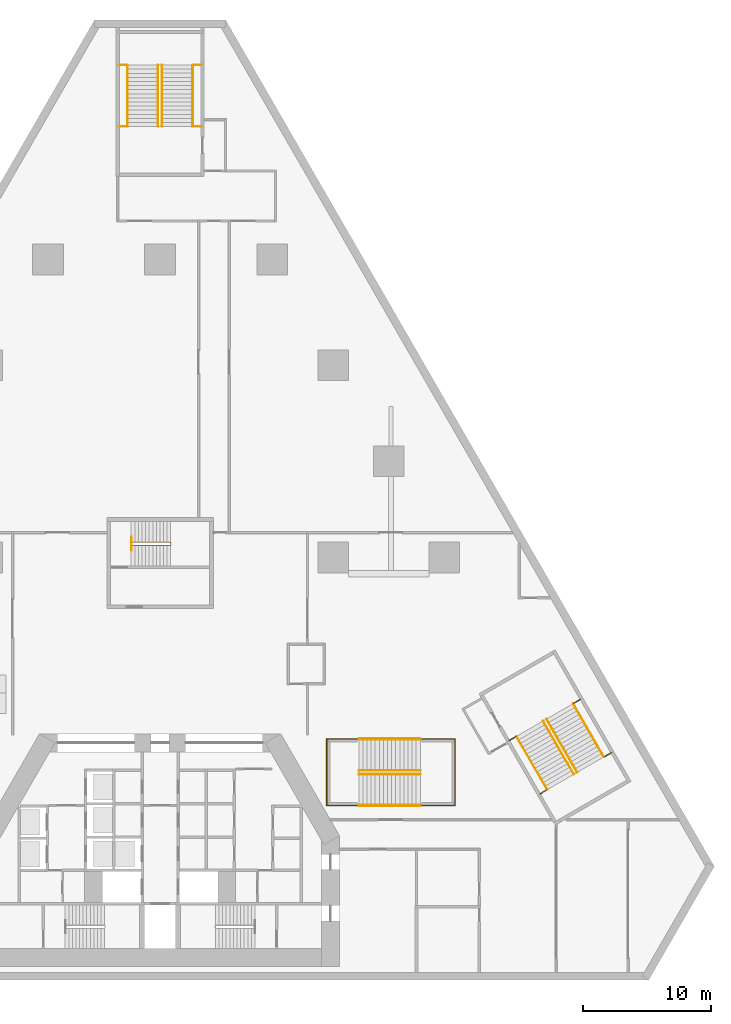
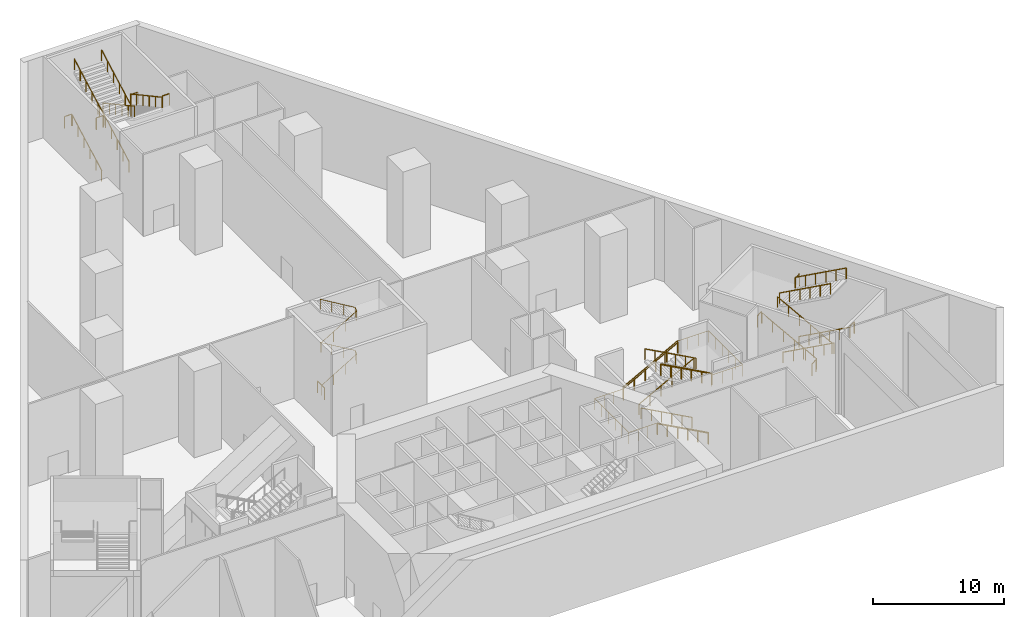
# One storey, part 10 of 11: 33 railings.
"""IFC4 building model written with IfcOpenShell, lengths in metres."""

from ifc_helpers import new_model, si_unit, direction, frame, origin, origin_2d, place, context, subcontext, project, spatial, circle, extrude, material, type_object, element, save


model = new_model("IFC4")

# Units and contexts
model_context = context("Model", 3, precision=1e-05, world=origin(), true_north=direction((0.0, 1.0)))
body_context = subcontext(model_context, "Body", "Model", "MODEL_VIEW")
ifc_project = project(units=[si_unit("LENGTHUNIT", "METRE"), si_unit("AREAUNIT", "SQUARE_METRE"), si_unit("VOLUMEUNIT", "CUBIC_METRE"), si_unit("PLANEANGLEUNIT", "RADIAN"), si_unit("MASSUNIT", "GRAM", prefix="KILO")], contexts=[model_context])

# Site, building, storey
site_placement = place(None, origin())
site = spatial("IfcSite", under=ifc_project, at=site_placement, CompositionType="ELEMENT")
building_placement = place(site_placement, origin())
building = spatial("IfcBuilding", under=site, at=building_placement, Name="Fogline Exchange Tower", CompositionType="ELEMENT")
storey_placement = place(building_placement, frame((0.0, 0.0, -8.0)))
storey = spatial("IfcBuildingStorey", under=building, at=storey_placement, Name="B1", CompositionType="ELEMENT", Elevation=-8.0)

# Railings
ifc_material = material(Name="Steel Q235B", Category="steel")
railing_type_1 = type_object("IfcRailingType", Name="PG1", PredefinedType="GUARDRAIL", material=ifc_material)
railing_1_placement = place(storey_placement, frame((35.194091796875, 17.53076171875, 2.608642578125)))
element("IfcRailing", 1, at=railing_1_placement, inside=storey, type_object=railing_type_1, Name="Landing guard ST5", PredefinedType="GUARDRAIL", context=body_context, shape_type="SweptSolid", body=[
    extrude(circle(Radius=0.02392578125, at=origin_2d()), frame((0.0, 0.0, 1.076171875), z_axis=(-0.866059952115, -0.49994015576, 0.0), x_axis=(0.49994015576, -0.866059952115, 0.0)), (0.0, 0.0, 1.0), 0.61474609375),
    extrude(circle(Radius=0.02099609375, at=origin_2d()), origin(), (0.0, 0.0, 1.0), 1.052001953125),
    extrude(circle(Radius=0.02099609375, at=origin_2d()), frame((-0.532470703125, -0.307373046875, 0.0)), (0.0, 0.0, 1.0), 1.052001953125),
])
railing_2_placement = place(storey_placement, frame((30.158203125, 14.62353515625, 2.608642578125)))
element("IfcRailing", 2, at=railing_2_placement, inside=storey, type_object=railing_type_1, Name="Landing guard ST5", PredefinedType="GUARDRAIL", context=body_context, shape_type="SweptSolid", body=[
    extrude(circle(Radius=0.02392578125, at=origin_2d()), frame((0.0, 0.0, 1.076171875), z_axis=(-0.865987299264, -0.500065993159, 0.0), x_axis=(0.500065993159, -0.865987299264, 0.0)), (0.0, 0.0, 1.0), 0.615234375),
    extrude(circle(Radius=0.02099609375, at=origin_2d()), origin(), (0.0, 0.0, 1.0), 1.052001953125),
    extrude(circle(Radius=0.02099609375, at=origin_2d()), frame((-0.53271484375, -0.3076171875, 0.0)), (0.0, 0.0, 1.0), 1.052001953125),
])
railing_3_placement = place(storey_placement, frame((32.794189453125, 21.687744140625, 5.391357421875)))
element("IfcRailing", 3, at=railing_3_placement, inside=storey, type_object=railing_type_1, Name="Landing guard ST5", PredefinedType="GUARDRAIL", context=body_context, shape_type="SweptSolid", body=[
    extrude(circle(Radius=0.02392578125, at=origin_2d()), frame((0.0, 0.0, 1.076171875), z_axis=(-0.866059952115, -0.49994015576, 0.0), x_axis=(0.49994015576, -0.866059952115, 0.0)), (0.0, 0.0, 1.0), 0.61474609375),
    extrude(circle(Radius=0.02099609375, at=origin_2d()), origin(), (0.0, 0.0, 1.0), 1.052001953125),
    extrude(circle(Radius=0.02099609375, at=origin_2d()), frame((-0.532470703125, -0.307373046875, 0.0)), (0.0, 0.0, 1.0), 1.052001953125),
])
railing_4_placement = place(storey_placement, frame((27.75830078125, 18.780517578125, 5.391357421875)))
element("IfcRailing", 4, at=railing_4_placement, inside=storey, type_object=railing_type_1, Name="Landing guard ST5", PredefinedType="GUARDRAIL", context=body_context, shape_type="SweptSolid", body=[
    extrude(circle(Radius=0.02392578125, at=origin_2d()), frame((0.0, 0.0, 1.076171875), z_axis=(-0.865987299264, -0.500065993159, 0.0), x_axis=(0.500065993159, -0.865987299264, 0.0)), (0.0, 0.0, 1.0), 0.615234375),
    extrude(circle(Radius=0.02099609375, at=origin_2d()), origin(), (0.0, 0.0, 1.0), 1.052001953125),
    extrude(circle(Radius=0.02099609375, at=origin_2d()), frame((-0.53271484375, -0.3076171875, 0.0)), (0.0, 0.0, 1.0), 1.052001953125),
])
for number, where, name in (
    (5, (-3.215087890625, 71.1650390625, 2.608642578125), "Landing guard ST6"),
    (6, (2.60009765625, 71.1650390625, 2.608642578125), "Landing guard ST6"),
    (7, (-3.215087890625, 66.364990234375, 5.391357421875), "Landing guard ST6"),
    (8, (2.60009765625, 66.364990234375, 5.391357421875), "Landing guard ST6"),
):
    element("IfcRailing", number, at=place(storey_placement, frame(where)), inside=storey, type_object=railing_type_1, Name=name, PredefinedType="GUARDRAIL", context=body_context, shape_type="SweptSolid", body=[
        extrude(circle(Radius=0.02392578125, at=origin_2d()), frame((0.0, 0.0, 1.076171875), z_axis=(1.0, 0.0, 0.0), x_axis=(0.0, 1.0, 0.0)), (0.0, 0.0, 1.0), 0.614990234375),
        extrude(circle(Radius=0.02099609375, at=origin_2d()), origin(), (0.0, 0.0, 1.0), 1.052001953125),
        extrude(circle(Radius=0.02099609375, at=origin_2d()), frame((0.614990234375, 0.0, 0.0)), (0.0, 0.0, 1.0), 1.052001953125),
    ])
railing_5_placement = place(storey_placement, frame((19.97998046875, 13.3798828125, 0.173828125)))
element("IfcRailing", 9, at=railing_5_placement, inside=storey, type_object=railing_type_1, Name="Guard PS4", PredefinedType="GUARDRAIL", context=body_context, shape_type="SweptSolid", body=[
    extrude(circle(Radius=0.02392578125, at=origin_2d()), frame((0.0, 0.0, 1.076171875), z_axis=(-0.878621015842, 0.0, 0.477519748828), x_axis=(0.0, -1.0, 0.0)), (0.0, 0.0, 1.0), 5.098876953125),
    extrude(circle(Radius=0.02099609375, at=origin_2d()), origin(), (0.0, 0.0, 1.0), 1.052001953125),
    extrude(circle(Radius=0.02099609375, at=origin_2d()), frame((-0.89599609375, 0.0, 0.487060546875)), (0.0, 0.0, 1.0), 1.052001953125),
    extrude(circle(Radius=0.02099609375, at=origin_2d()), frame((-1.7919921875, 0.0, 0.973876953125)), (0.0, 0.0, 1.0), 1.052001953125),
    extrude(circle(Radius=0.02099609375, at=origin_2d()), frame((-2.68798828125, 0.0, 1.4609375)), (0.0, 0.0, 1.0), 1.052001953125),
    extrude(circle(Radius=0.02099609375, at=origin_2d()), frame((-3.583984375, 0.0, 1.94775390625)), (0.0, 0.0, 1.0), 1.052001953125),
    extrude(circle(Radius=0.02099609375, at=origin_2d()), frame((-4.47998046875, 0.0, 2.434814453125)), (0.0, 0.0, 1.0), 1.052001953125),
])
railing_6_placement = place(storey_placement, frame((15.5, 18.6201171875, 2.78271484375)))
element("IfcRailing", 10, at=railing_6_placement, inside=storey, type_object=railing_type_1, Name="Guard PS4", PredefinedType="GUARDRAIL", context=body_context, shape_type="SweptSolid", body=[
    extrude(circle(Radius=0.02392578125, at=origin_2d()), frame((0.0, 0.0, 1.076171875), z_axis=(0.878630623466, 0.0, 0.477502070685), x_axis=(0.0, 1.0, 0.0)), (0.0, 0.0, 1.0), 5.463134765625),
    extrude(circle(Radius=0.02099609375, at=origin_2d()), origin(), (0.0, 0.0, 1.0), 1.052001953125),
    extrude(circle(Radius=0.02099609375, at=origin_2d()), frame((0.9599609375, 0.0, 0.521728515625)), (0.0, 0.0, 1.0), 1.052001953125),
    extrude(circle(Radius=0.02099609375, at=origin_2d()), frame((1.919921875, 0.0, 1.04345703125)), (0.0, 0.0, 1.0), 1.052001953125),
    extrude(circle(Radius=0.02099609375, at=origin_2d()), frame((2.880126953125, 0.0, 1.565185546875)), (0.0, 0.0, 1.0), 1.052001953125),
    extrude(circle(Radius=0.02099609375, at=origin_2d()), frame((3.840087890625, 0.0, 2.0869140625)), (0.0, 0.0, 1.0), 1.052001953125),
    extrude(circle(Radius=0.02099609375, at=origin_2d()), frame((4.800048828125, 0.0, 2.608642578125)), (0.0, 0.0, 1.0), 1.052001953125),
])
railing_7_placement = place(storey_placement, frame((20.300048828125, 13.3798828125, 5.565185546875)))
element("IfcRailing", 11, at=railing_7_placement, inside=storey, type_object=railing_type_1, Name="Guard PS4", PredefinedType="GUARDRAIL", context=body_context, shape_type="SweptSolid", body=[
    extrude(circle(Radius=0.02392578125, at=origin_2d()), frame((0.0, 0.0, 1.076171875), z_axis=(-0.878621015842, 0.0, 0.477519748828), x_axis=(0.0, -1.0, 0.0)), (0.0, 0.0, 1.0), 5.098876953125),
    extrude(circle(Radius=0.02099609375, at=origin_2d()), origin(), (0.0, 0.0, 1.0), 1.052001953125),
    extrude(circle(Radius=0.02099609375, at=origin_2d()), frame((-0.89599609375, 0.0, 0.487060546875)), (0.0, 0.0, 1.0), 1.052001953125),
    extrude(circle(Radius=0.02099609375, at=origin_2d()), frame((-1.7919921875, 0.0, 0.973876953125)), (0.0, 0.0, 1.0), 1.052001953125),
    extrude(circle(Radius=0.02099609375, at=origin_2d()), frame((-2.68798828125, 0.0, 1.4609375)), (0.0, 0.0, 1.0), 1.052001953125),
    extrude(circle(Radius=0.02099609375, at=origin_2d()), frame((-3.583984375, 0.0, 1.94775390625)), (0.0, 0.0, 1.0), 1.052001953125),
    extrude(circle(Radius=0.02099609375, at=origin_2d()), frame((-4.47998046875, 0.0, 2.434814453125)), (0.0, 0.0, 1.0), 1.052001953125),
])
railing_8_placement = place(storey_placement, frame((15.5, 13.39990234375, 2.608642578125)))
element("IfcRailing", 12, at=railing_8_placement, inside=storey, type_object=railing_type_1, Name="Landing guard PS4", PredefinedType="GUARDRAIL", context=body_context, shape_type="SweptSolid", body=[
    extrude(circle(Radius=0.02392578125, at=origin_2d()), frame((0.0, 0.0, 1.076171875), z_axis=(-1.0, 0.0, 0.0), x_axis=(0.0, -1.0, 0.0)), (0.0, 0.0, 1.0), 2.5),
    extrude(circle(Radius=0.02392578125, at=origin_2d()), frame((-2.5, 0.0, 1.076171875), z_axis=(0.0, 1.0, 0.0), x_axis=(-1.0, 0.0, 0.0)), (0.0, 0.0, 1.0), 5.2001953125),
    extrude(circle(Radius=0.02392578125, at=origin_2d()), frame((-2.5, 5.2001953125, 1.076171875), z_axis=(1.0, 0.0, 0.0), x_axis=(0.0, 1.0, 0.0)), (0.0, 0.0, 1.0), 2.5),
    extrude(circle(Radius=0.02099609375, at=origin_2d()), origin(), (0.0, 0.0, 1.0), 1.052001953125),
    extrude(circle(Radius=0.02099609375, at=origin_2d()), frame((-0.833251953125, 0.0, 0.0)), (0.0, 0.0, 1.0), 1.052001953125),
    extrude(circle(Radius=0.02099609375, at=origin_2d()), frame((-1.666748046875, 0.0, 0.0)), (0.0, 0.0, 1.0), 1.052001953125),
    extrude(circle(Radius=0.02099609375, at=origin_2d()), frame((-2.5, 0.0, 0.0)), (0.0, 0.0, 1.0), 1.052001953125),
    extrude(circle(Radius=0.02099609375, at=origin_2d()), frame((-2.5, 1.0400390625, 0.0)), (0.0, 0.0, 1.0), 1.052001953125),
    extrude(circle(Radius=0.02099609375, at=origin_2d()), frame((-2.5, 2.080078125, 0.0)), (0.0, 0.0, 1.0), 1.052001953125),
    extrude(circle(Radius=0.02099609375, at=origin_2d()), frame((-2.5, 3.1201171875, 0.0)), (0.0, 0.0, 1.0), 1.052001953125),
    extrude(circle(Radius=0.02099609375, at=origin_2d()), frame((-2.5, 4.16015625, 0.0)), (0.0, 0.0, 1.0), 1.052001953125),
    extrude(circle(Radius=0.02099609375, at=origin_2d()), frame((-2.5, 5.2001953125, 0.0)), (0.0, 0.0, 1.0), 1.052001953125),
    extrude(circle(Radius=0.02099609375, at=origin_2d()), frame((-1.666748046875, 5.2001953125, 0.0)), (0.0, 0.0, 1.0), 1.052001953125),
    extrude(circle(Radius=0.02099609375, at=origin_2d()), frame((-0.833251953125, 5.2001953125, 0.0)), (0.0, 0.0, 1.0), 1.052001953125),
    extrude(circle(Radius=0.02099609375, at=origin_2d()), frame((0.0, 5.2001953125, 0.0)), (0.0, 0.0, 1.0), 1.052001953125),
])
railing_9_placement = place(storey_placement, frame((20.300048828125, 13.39990234375, 5.391357421875)))
element("IfcRailing", 13, at=railing_9_placement, inside=storey, type_object=railing_type_1, Name="Landing guard PS4", PredefinedType="GUARDRAIL", context=body_context, shape_type="SweptSolid", body=[
    extrude(circle(Radius=0.02392578125, at=origin_2d()), frame((0.0, 0.0, 1.076171875), z_axis=(1.0, 0.0, 0.0), x_axis=(0.0, 1.0, 0.0)), (0.0, 0.0, 1.0), 2.699951171875),
    extrude(circle(Radius=0.02392578125, at=origin_2d()), frame((2.699951171875, 0.0, 1.076171875), z_axis=(0.0, 1.0, 0.0), x_axis=(-1.0, 0.0, 0.0)), (0.0, 0.0, 1.0), 5.2001953125),
    extrude(circle(Radius=0.02392578125, at=origin_2d()), frame((2.699951171875, 5.2001953125, 1.076171875), z_axis=(-1.0, 0.0, 0.0), x_axis=(0.0, -1.0, 0.0)), (0.0, 0.0, 1.0), 2.699951171875),
    extrude(circle(Radius=0.02099609375, at=origin_2d()), origin(), (0.0, 0.0, 1.0), 1.052001953125),
    extrude(circle(Radius=0.02099609375, at=origin_2d()), frame((0.89990234375, 0.0, 0.0)), (0.0, 0.0, 1.0), 1.052001953125),
    extrude(circle(Radius=0.02099609375, at=origin_2d()), frame((1.800048828125, 0.0, 0.0)), (0.0, 0.0, 1.0), 1.052001953125),
    extrude(circle(Radius=0.02099609375, at=origin_2d()), frame((2.699951171875, 0.0, 0.0)), (0.0, 0.0, 1.0), 1.052001953125),
    extrude(circle(Radius=0.02099609375, at=origin_2d()), frame((2.699951171875, 1.0400390625, 0.0)), (0.0, 0.0, 1.0), 1.052001953125),
    extrude(circle(Radius=0.02099609375, at=origin_2d()), frame((2.699951171875, 2.080078125, 0.0)), (0.0, 0.0, 1.0), 1.052001953125),
    extrude(circle(Radius=0.02099609375, at=origin_2d()), frame((2.699951171875, 3.1201171875, 0.0)), (0.0, 0.0, 1.0), 1.052001953125),
    extrude(circle(Radius=0.02099609375, at=origin_2d()), frame((2.699951171875, 4.16015625, 0.0)), (0.0, 0.0, 1.0), 1.052001953125),
    extrude(circle(Radius=0.02099609375, at=origin_2d()), frame((2.699951171875, 5.2001953125, 0.0)), (0.0, 0.0, 1.0), 1.052001953125),
    extrude(circle(Radius=0.02099609375, at=origin_2d()), frame((1.800048828125, 5.2001953125, 0.0)), (0.0, 0.0, 1.0), 1.052001953125),
    extrude(circle(Radius=0.02099609375, at=origin_2d()), frame((0.89990234375, 5.2001953125, 0.0)), (0.0, 0.0, 1.0), 1.052001953125),
    extrude(circle(Radius=0.02099609375, at=origin_2d()), frame((0.0, 5.2001953125, 0.0)), (0.0, 0.0, 1.0), 1.052001953125),
])
railing_type_2 = type_object("IfcRailingType", Name="PH1", PredefinedType="HANDRAIL", material=ifc_material)
railing_10_placement = place(storey_placement, frame((30.2998046875, 19.87841796875, 0.173828125)))
element("IfcRailing", 14, at=railing_10_placement, inside=storey, type_object=railing_type_2, Name="Handrail ST5", PredefinedType="HANDRAIL", context=body_context, shape_type="SweptSolid", body=[
    extrude(circle(Radius=0.02392578125, at=origin_2d()), frame((0.0, 0.0, 0.97607421875), z_axis=(0.439287559345, -0.760937022416, 0.477494804288), x_axis=(0.866044936414, 0.499966166967, 0.0)), (0.0, 0.0, 1.0), 5.09912109375),
    extrude(circle(Radius=0.02099609375, at=origin_2d()), origin(), (0.0, 0.0, 1.0), 0.951904296875),
    extrude(circle(Radius=0.02099609375, at=origin_2d()), frame((0.447998046875, -0.776123046875, 0.487060546875)), (0.0, 0.0, 1.0), 0.951904296875),
    extrude(circle(Radius=0.02099609375, at=origin_2d()), frame((0.89599609375, -1.552001953125, 0.973876953125)), (0.0, 0.0, 1.0), 0.951904296875),
    extrude(circle(Radius=0.02099609375, at=origin_2d()), frame((1.343994140625, -2.328125, 1.4609375)), (0.0, 0.0, 1.0), 0.951904296875),
    extrude(circle(Radius=0.02099609375, at=origin_2d()), frame((1.7919921875, -3.10400390625, 1.94775390625)), (0.0, 0.0, 1.0), 0.951904296875),
    extrude(circle(Radius=0.02099609375, at=origin_2d()), frame((2.239990234375, -3.880126953125, 2.434814453125)), (0.0, 0.0, 1.0), 0.951904296875),
])
railing_11_placement = place(storey_placement, frame((32.37841796875, 21.078125, 0.173828125)))
element("IfcRailing", 15, at=railing_11_placement, inside=storey, type_object=railing_type_2, Name="Handrail ST5", PredefinedType="HANDRAIL", context=body_context, shape_type="SweptSolid", body=[
    extrude(circle(Radius=0.02392578125, at=origin_2d()), frame((0.0, 0.0, 0.97607421875), z_axis=(0.439319569707, -0.760896706508, 0.477529598767), x_axis=(0.866017690131, 0.500013360201, 0.0)), (0.0, 0.0, 1.0), 5.098876953125),
    extrude(circle(Radius=0.02099609375, at=origin_2d()), origin(), (0.0, 0.0, 1.0), 0.951904296875),
    extrude(circle(Radius=0.02099609375, at=origin_2d()), frame((0.447998046875, -0.77587890625, 0.487060546875)), (0.0, 0.0, 1.0), 0.951904296875),
    extrude(circle(Radius=0.02099609375, at=origin_2d()), frame((0.89599609375, -1.5517578125, 0.973876953125)), (0.0, 0.0, 1.0), 0.951904296875),
    extrude(circle(Radius=0.02099609375, at=origin_2d()), frame((1.343994140625, -2.327880859375, 1.4609375)), (0.0, 0.0, 1.0), 0.951904296875),
    extrude(circle(Radius=0.02099609375, at=origin_2d()), frame((1.7919921875, -3.103759765625, 1.94775390625)), (0.0, 0.0, 1.0), 0.951904296875),
    extrude(circle(Radius=0.02099609375, at=origin_2d()), frame((2.239990234375, -3.879638671875, 2.434814453125)), (0.0, 0.0, 1.0), 0.951904296875),
])
for number, where, name in (
    (16, (32.280029296875, 15.848388671875, 2.78271484375), "Handrail ST5"),
    (17, (30.201416015625, 14.6484375, 2.78271484375), "Handrail ST5"),
):
    element("IfcRailing", number, at=place(storey_placement, frame(where)), inside=storey, type_object=railing_type_2, Name=name, PredefinedType="HANDRAIL", context=body_context, shape_type="SweptSolid", body=[
        extrude(circle(Radius=0.02392578125, at=origin_2d()), frame((0.0, 0.0, 0.97607421875), z_axis=(-0.439296165955, 0.760925312076, 0.477505547632), x_axis=(-0.866037363387, -0.499979284789, 0.0)), (0.0, 0.0, 1.0), 5.463134765625),
        extrude(circle(Radius=0.02099609375, at=origin_2d()), origin(), (0.0, 0.0, 1.0), 0.951904296875),
        extrude(circle(Radius=0.02099609375, at=origin_2d()), frame((-0.47998046875, 0.831298828125, 0.521728515625)), (0.0, 0.0, 1.0), 0.951904296875),
        extrude(circle(Radius=0.02099609375, at=origin_2d()), frame((-0.9599609375, 1.662841796875, 1.04345703125)), (0.0, 0.0, 1.0), 0.951904296875),
        extrude(circle(Radius=0.02099609375, at=origin_2d()), frame((-1.43994140625, 2.494140625, 1.565185546875)), (0.0, 0.0, 1.0), 0.951904296875),
        extrude(circle(Radius=0.02099609375, at=origin_2d()), frame((-1.919921875, 3.32568359375, 2.0869140625)), (0.0, 0.0, 1.0), 0.951904296875),
        extrude(circle(Radius=0.02099609375, at=origin_2d()), frame((-2.39990234375, 4.156982421875, 2.608642578125)), (0.0, 0.0, 1.0), 0.951904296875),
    ])
railing_12_placement = place(storey_placement, frame((30.139892578125, 20.155517578125, 5.565185546875)))
element("IfcRailing", 18, at=railing_12_placement, inside=storey, type_object=railing_type_2, Name="Handrail ST5", PredefinedType="HANDRAIL", context=body_context, shape_type="SweptSolid", body=[
    extrude(circle(Radius=0.02392578125, at=origin_2d()), frame((0.0, 0.0, 0.97607421875), z_axis=(0.439287559345, -0.760937022416, 0.477494804288), x_axis=(0.866044936414, 0.499966166967, 0.0)), (0.0, 0.0, 1.0), 5.09912109375),
    extrude(circle(Radius=0.02099609375, at=origin_2d()), origin(), (0.0, 0.0, 1.0), 0.951904296875),
    extrude(circle(Radius=0.02099609375, at=origin_2d()), frame((0.447998046875, -0.776123046875, 0.487060546875)), (0.0, 0.0, 1.0), 0.951904296875),
    extrude(circle(Radius=0.02099609375, at=origin_2d()), frame((0.89599609375, -1.552001953125, 0.973876953125)), (0.0, 0.0, 1.0), 0.951904296875),
    extrude(circle(Radius=0.02099609375, at=origin_2d()), frame((1.343994140625, -2.328125, 1.4609375)), (0.0, 0.0, 1.0), 0.951904296875),
    extrude(circle(Radius=0.02099609375, at=origin_2d()), frame((1.7919921875, -3.10400390625, 1.94775390625)), (0.0, 0.0, 1.0), 0.951904296875),
    extrude(circle(Radius=0.02099609375, at=origin_2d()), frame((2.239990234375, -3.880126953125, 2.434814453125)), (0.0, 0.0, 1.0), 0.951904296875),
])
railing_13_placement = place(storey_placement, frame((32.218505859375, 21.355224609375, 5.565185546875)))
element("IfcRailing", 19, at=railing_13_placement, inside=storey, type_object=railing_type_2, Name="Handrail ST5", PredefinedType="HANDRAIL", context=body_context, shape_type="SweptSolid", body=[
    extrude(circle(Radius=0.02392578125, at=origin_2d()), frame((0.0, 0.0, 0.97607421875), z_axis=(0.439280927599, -0.760912712064, 0.477539643661), x_axis=(0.866041288283, 0.499972486232, 0.0)), (0.0, 0.0, 1.0), 5.0986328125),
    extrude(circle(Radius=0.02099609375, at=origin_2d()), origin(), (0.0, 0.0, 1.0), 0.951904296875),
    extrude(circle(Radius=0.02099609375, at=origin_2d()), frame((0.447998046875, -0.77587890625, 0.487060546875)), (0.0, 0.0, 1.0), 0.951904296875),
    extrude(circle(Radius=0.02099609375, at=origin_2d()), frame((0.89599609375, -1.5517578125, 0.973876953125)), (0.0, 0.0, 1.0), 0.951904296875),
    extrude(circle(Radius=0.02099609375, at=origin_2d()), frame((1.34375, -2.327880859375, 1.4609375)), (0.0, 0.0, 1.0), 0.951904296875),
    extrude(circle(Radius=0.02099609375, at=origin_2d()), frame((1.791748046875, -3.103759765625, 1.94775390625)), (0.0, 0.0, 1.0), 0.951904296875),
    extrude(circle(Radius=0.02099609375, at=origin_2d()), frame((2.23974609375, -3.879638671875, 2.434814453125)), (0.0, 0.0, 1.0), 0.951904296875),
])
for number, where, name in (
    (20, (-0.14990234375, 66.68505859375, 0.173828125), "Handrail ST6"),
    (21, (-2.550048828125, 66.68505859375, 0.173828125), "Handrail ST6"),
):
    element("IfcRailing", number, at=place(storey_placement, frame(where)), inside=storey, type_object=railing_type_2, Name=name, PredefinedType="HANDRAIL", context=body_context, shape_type="SweptSolid", body=[
        extrude(circle(Radius=0.02392578125, at=origin_2d()), frame((0.0, 0.0, 0.97607421875), z_axis=(0.0, 0.878621015842, 0.477519748828), x_axis=(-1.0, 0.0, 0.0)), (0.0, 0.0, 1.0), 5.098876953125),
        extrude(circle(Radius=0.02099609375, at=origin_2d()), origin(), (0.0, 0.0, 1.0), 0.951904296875),
        extrude(circle(Radius=0.02099609375, at=origin_2d()), frame((0.0, 0.89599609375, 0.487060546875)), (0.0, 0.0, 1.0), 0.951904296875),
        extrude(circle(Radius=0.02099609375, at=origin_2d()), frame((0.0, 1.7919921875, 0.973876953125)), (0.0, 0.0, 1.0), 0.951904296875),
        extrude(circle(Radius=0.02099609375, at=origin_2d()), frame((0.0, 2.68798828125, 1.4609375)), (0.0, 0.0, 1.0), 0.951904296875),
        extrude(circle(Radius=0.02099609375, at=origin_2d()), frame((0.0, 3.583984375, 1.94775390625)), (0.0, 0.0, 1.0), 0.951904296875),
        extrude(circle(Radius=0.02099609375, at=origin_2d()), frame((0.0, 4.47998046875, 2.434814453125)), (0.0, 0.0, 1.0), 0.951904296875),
    ])
for number, where, name in (
    (22, (0.14990234375, 71.1650390625, 2.78271484375), "Handrail ST6"),
    (23, (2.550048828125, 71.1650390625, 2.78271484375), "Handrail ST6"),
):
    element("IfcRailing", number, at=place(storey_placement, frame(where)), inside=storey, type_object=railing_type_2, Name=name, PredefinedType="HANDRAIL", context=body_context, shape_type="SweptSolid", body=[
        extrude(circle(Radius=0.02392578125, at=origin_2d()), frame((0.0, 0.0, 0.97607421875), z_axis=(0.0, -0.878630623466, 0.477502070685), x_axis=(1.0, 0.0, 0.0)), (0.0, 0.0, 1.0), 5.463134765625),
        extrude(circle(Radius=0.02099609375, at=origin_2d()), origin(), (0.0, 0.0, 1.0), 0.951904296875),
        extrude(circle(Radius=0.02099609375, at=origin_2d()), frame((0.0, -0.9599609375, 0.521728515625)), (0.0, 0.0, 1.0), 0.951904296875),
        extrude(circle(Radius=0.02099609375, at=origin_2d()), frame((0.0, -1.919921875, 1.04345703125)), (0.0, 0.0, 1.0), 0.951904296875),
        extrude(circle(Radius=0.02099609375, at=origin_2d()), frame((0.0, -2.880126953125, 1.565185546875)), (0.0, 0.0, 1.0), 0.951904296875),
        extrude(circle(Radius=0.02099609375, at=origin_2d()), frame((0.0, -3.840087890625, 2.0869140625)), (0.0, 0.0, 1.0), 0.951904296875),
        extrude(circle(Radius=0.02099609375, at=origin_2d()), frame((0.0, -4.800048828125, 2.608642578125)), (0.0, 0.0, 1.0), 0.951904296875),
    ])
for number, where, name in (
    (24, (-0.14990234375, 66.364990234375, 5.565185546875), "Handrail ST6"),
    (25, (-2.550048828125, 66.364990234375, 5.565185546875), "Handrail ST6"),
):
    element("IfcRailing", number, at=place(storey_placement, frame(where)), inside=storey, type_object=railing_type_2, Name=name, PredefinedType="HANDRAIL", context=body_context, shape_type="SweptSolid", body=[
        extrude(circle(Radius=0.02392578125, at=origin_2d()), frame((0.0, 0.0, 0.97607421875), z_axis=(0.0, 0.878621015842, 0.477519748828), x_axis=(-1.0, 0.0, 0.0)), (0.0, 0.0, 1.0), 5.098876953125),
        extrude(circle(Radius=0.02099609375, at=origin_2d()), origin(), (0.0, 0.0, 1.0), 0.951904296875),
        extrude(circle(Radius=0.02099609375, at=origin_2d()), frame((0.0, 0.89599609375, 0.487060546875)), (0.0, 0.0, 1.0), 0.951904296875),
        extrude(circle(Radius=0.02099609375, at=origin_2d()), frame((0.0, 1.7919921875, 0.973876953125)), (0.0, 0.0, 1.0), 0.951904296875),
        extrude(circle(Radius=0.02099609375, at=origin_2d()), frame((0.0, 2.68798828125, 1.4609375)), (0.0, 0.0, 1.0), 0.951904296875),
        extrude(circle(Radius=0.02099609375, at=origin_2d()), frame((0.0, 3.583984375, 1.94775390625)), (0.0, 0.0, 1.0), 0.951904296875),
        extrude(circle(Radius=0.02099609375, at=origin_2d()), frame((0.0, 4.47998046875, 2.434814453125)), (0.0, 0.0, 1.0), 0.951904296875),
    ])
for number, where, name in (
    (26, (19.97998046875, 15.85009765625, 0.173828125), "Handrail PS4"),
    (27, (19.97998046875, 13.449951171875, 0.173828125), "Handrail PS4"),
):
    element("IfcRailing", number, at=place(storey_placement, frame(where)), inside=storey, type_object=railing_type_2, Name=name, PredefinedType="HANDRAIL", context=body_context, shape_type="SweptSolid", body=[
        extrude(circle(Radius=0.02392578125, at=origin_2d()), frame((0.0, 0.0, 0.97607421875), z_axis=(-0.878621015842, 0.0, 0.477519748828), x_axis=(0.0, -1.0, 0.0)), (0.0, 0.0, 1.0), 5.098876953125),
        extrude(circle(Radius=0.02099609375, at=origin_2d()), origin(), (0.0, 0.0, 1.0), 0.951904296875),
        extrude(circle(Radius=0.02099609375, at=origin_2d()), frame((-0.89599609375, 0.0, 0.487060546875)), (0.0, 0.0, 1.0), 0.951904296875),
        extrude(circle(Radius=0.02099609375, at=origin_2d()), frame((-1.7919921875, 0.0, 0.973876953125)), (0.0, 0.0, 1.0), 0.951904296875),
        extrude(circle(Radius=0.02099609375, at=origin_2d()), frame((-2.68798828125, 0.0, 1.4609375)), (0.0, 0.0, 1.0), 0.951904296875),
        extrude(circle(Radius=0.02099609375, at=origin_2d()), frame((-3.583984375, 0.0, 1.94775390625)), (0.0, 0.0, 1.0), 0.951904296875),
        extrude(circle(Radius=0.02099609375, at=origin_2d()), frame((-4.47998046875, 0.0, 2.434814453125)), (0.0, 0.0, 1.0), 0.951904296875),
    ])
for number, where, name in (
    (28, (15.5, 16.14990234375, 2.78271484375), "Handrail PS4"),
    (29, (15.5, 18.550048828125, 2.78271484375), "Handrail PS4"),
):
    element("IfcRailing", number, at=place(storey_placement, frame(where)), inside=storey, type_object=railing_type_2, Name=name, PredefinedType="HANDRAIL", context=body_context, shape_type="SweptSolid", body=[
        extrude(circle(Radius=0.02392578125, at=origin_2d()), frame((0.0, 0.0, 0.97607421875), z_axis=(0.878630623466, 0.0, 0.477502070685), x_axis=(0.0, 1.0, 0.0)), (0.0, 0.0, 1.0), 5.463134765625),
        extrude(circle(Radius=0.02099609375, at=origin_2d()), origin(), (0.0, 0.0, 1.0), 0.951904296875),
        extrude(circle(Radius=0.02099609375, at=origin_2d()), frame((0.9599609375, 0.0, 0.521728515625)), (0.0, 0.0, 1.0), 0.951904296875),
        extrude(circle(Radius=0.02099609375, at=origin_2d()), frame((1.919921875, 0.0, 1.04345703125)), (0.0, 0.0, 1.0), 0.951904296875),
        extrude(circle(Radius=0.02099609375, at=origin_2d()), frame((2.880126953125, 0.0, 1.565185546875)), (0.0, 0.0, 1.0), 0.951904296875),
        extrude(circle(Radius=0.02099609375, at=origin_2d()), frame((3.840087890625, 0.0, 2.0869140625)), (0.0, 0.0, 1.0), 0.951904296875),
        extrude(circle(Radius=0.02099609375, at=origin_2d()), frame((4.800048828125, 0.0, 2.608642578125)), (0.0, 0.0, 1.0), 0.951904296875),
    ])
for number, where, name in (
    (30, (20.300048828125, 15.85009765625, 5.565185546875), "Handrail PS4"),
    (31, (20.300048828125, 13.449951171875, 5.565185546875), "Handrail PS4"),
):
    element("IfcRailing", number, at=place(storey_placement, frame(where)), inside=storey, type_object=railing_type_2, Name=name, PredefinedType="HANDRAIL", context=body_context, shape_type="SweptSolid", body=[
        extrude(circle(Radius=0.02392578125, at=origin_2d()), frame((0.0, 0.0, 0.97607421875), z_axis=(-0.878621015842, 0.0, 0.477519748828), x_axis=(0.0, -1.0, 0.0)), (0.0, 0.0, 1.0), 5.098876953125),
        extrude(circle(Radius=0.02099609375, at=origin_2d()), origin(), (0.0, 0.0, 1.0), 0.951904296875),
        extrude(circle(Radius=0.02099609375, at=origin_2d()), frame((-0.89599609375, 0.0, 0.487060546875)), (0.0, 0.0, 1.0), 0.951904296875),
        extrude(circle(Radius=0.02099609375, at=origin_2d()), frame((-1.7919921875, 0.0, 0.973876953125)), (0.0, 0.0, 1.0), 0.951904296875),
        extrude(circle(Radius=0.02099609375, at=origin_2d()), frame((-2.68798828125, 0.0, 1.4609375)), (0.0, 0.0, 1.0), 0.951904296875),
        extrude(circle(Radius=0.02099609375, at=origin_2d()), frame((-3.583984375, 0.0, 1.94775390625)), (0.0, 0.0, 1.0), 0.951904296875),
        extrude(circle(Radius=0.02099609375, at=origin_2d()), frame((-4.47998046875, 0.0, 2.434814453125)), (0.0, 0.0, 1.0), 0.951904296875),
    ])
railing_type_3 = type_object("IfcRailingType", Name="RL-GD", PredefinedType="GUARDRAIL", material=ifc_material)
railing_14_placement = place(storey_placement, frame((-2.239990234375, 33.306884765625, 0.0)))
element("IfcRailing", 32, at=railing_14_placement, inside=storey, type_object=railing_type_3, Name="Guard at well", PredefinedType="GUARDRAIL", context=body_context, shape_type="SweptSolid", body=[
    extrude(circle(Radius=0.02392578125, at=origin_2d()), frame((0.0, 0.0, 1.076171875), z_axis=(0.0, 1.0, 0.0), x_axis=(-1.0, 0.0, 0.0)), (0.0, 0.0, 1.0), 1.050048828125),
    extrude(circle(Radius=0.02099609375, at=origin_2d()), origin(), (0.0, 0.0, 1.0), 1.052001953125),
    extrude(circle(Radius=0.02099609375, at=origin_2d()), frame((0.0, 1.050048828125, 0.0)), (0.0, 0.0, 1.0), 1.052001953125),
])
railing_type_4 = type_object("IfcRailingType", Name="RL-HR", PredefinedType="HANDRAIL", material=ifc_material)
railing_15_placement = place(storey_placement, frame((-2.25, 33.70703125, 0.166748046875)))
element("IfcRailing", 33, at=railing_15_placement, inside=storey, type_object=railing_type_4, Name="Handrail ST3", PredefinedType="HANDRAIL", context=body_context, shape_type="SweptSolid", body=[
    extrude(circle(Radius=0.02392578125, at=origin_2d()), frame((0.0, 0.0, 0.92578125), z_axis=(0.859308565015, 0.0, 0.511457515432), x_axis=(0.0, 1.0, 0.0)), (0.0, 0.0, 1.0), 3.58447265625),
    extrude(circle(Radius=0.02392578125, at=origin_2d()), frame((3.080078125, 0.0, 2.75927734375), z_axis=(0.0, 0.831925284441, 0.554887665306), x_axis=(-1.0, 0.0, 0.0)), (0.0, 0.0, 1.0), 0.300537109375),
    extrude(circle(Radius=0.02392578125, at=origin_2d()), frame((3.080078125, 0.25, 2.92578125), z_axis=(-0.859308565015, 0.0, 0.511457515432), x_axis=(0.0, -1.0, 0.0)), (0.0, 0.0, 1.0), 3.58447265625),
    extrude(circle(Radius=0.02392578125, at=origin_2d()), frame((0.0, 0.25, 4.75927734375), z_axis=(0.0, -0.831925284441, 0.554887665306), x_axis=(1.0, 0.0, 0.0)), (0.0, 0.0, 1.0), 0.300537109375),
    extrude(circle(Radius=0.02392578125, at=origin_2d()), frame((0.0, 0.0, 4.92578125), z_axis=(0.859308565015, 0.0, 0.511457515432), x_axis=(0.0, 1.0, 0.0)), (0.0, 0.0, 1.0), 3.58447265625),
    extrude(circle(Radius=0.02392578125, at=origin_2d()), frame((3.080078125, 0.0, 6.75927734375), z_axis=(0.0, 0.831925284441, 0.554887665306), x_axis=(-1.0, 0.0, 0.0)), (0.0, 0.0, 1.0), 0.300537109375),
    extrude(circle(Radius=0.02392578125, at=origin_2d()), frame((3.080078125, 0.25, 6.92578125), z_axis=(-0.859308565015, 0.0, 0.511457515432), x_axis=(0.0, -1.0, 0.0)), (0.0, 0.0, 1.0), 3.58447265625),
    extrude(circle(Radius=0.02099609375, at=origin_2d()), origin(), (0.0, 0.0, 1.0), 0.90185546875),
    extrude(circle(Radius=0.02099609375, at=origin_2d()), frame((1.026611328125, 0.0, 0.611083984375)), (0.0, 0.0, 1.0), 0.90185546875),
    extrude(circle(Radius=0.02099609375, at=origin_2d()), frame((2.053466796875, 0.0, 1.22216796875)), (0.0, 0.0, 1.0), 0.90185546875),
    extrude(circle(Radius=0.02099609375, at=origin_2d()), frame((3.080078125, 0.0, 1.833251953125)), (0.0, 0.0, 1.0), 0.90185546875),
    extrude(circle(Radius=0.02099609375, at=origin_2d()), frame((3.080078125, 0.25, 2.0)), (0.0, 0.0, 1.0), 0.90185546875),
    extrude(circle(Radius=0.02099609375, at=origin_2d()), frame((2.053466796875, 0.25, 2.611083984375)), (0.0, 0.0, 1.0), 0.90185546875),
    extrude(circle(Radius=0.02099609375, at=origin_2d()), frame((1.026611328125, 0.25, 3.22216796875)), (0.0, 0.0, 1.0), 0.90185546875),
    extrude(circle(Radius=0.02099609375, at=origin_2d()), frame((0.0, 0.25, 3.833251953125)), (0.0, 0.0, 1.0), 0.90185546875),
    extrude(circle(Radius=0.02099609375, at=origin_2d()), frame((0.0, 0.0, 4.0)), (0.0, 0.0, 1.0), 0.90185546875),
    extrude(circle(Radius=0.02099609375, at=origin_2d()), frame((1.026611328125, 0.0, 4.611083984375)), (0.0, 0.0, 1.0), 0.90185546875),
    extrude(circle(Radius=0.02099609375, at=origin_2d()), frame((2.053466796875, 0.0, 5.22216796875)), (0.0, 0.0, 1.0), 0.90185546875),
    extrude(circle(Radius=0.02099609375, at=origin_2d()), frame((3.080078125, 0.0, 5.833251953125)), (0.0, 0.0, 1.0), 0.90185546875),
    extrude(circle(Radius=0.02099609375, at=origin_2d()), frame((3.080078125, 0.25, 6.0)), (0.0, 0.0, 1.0), 0.90185546875),
    extrude(circle(Radius=0.02099609375, at=origin_2d()), frame((2.053466796875, 0.25, 6.611083984375)), (0.0, 0.0, 1.0), 0.90185546875),
    extrude(circle(Radius=0.02099609375, at=origin_2d()), frame((1.026611328125, 0.25, 7.22216796875)), (0.0, 0.0, 1.0), 0.90185546875),
    extrude(circle(Radius=0.02099609375, at=origin_2d()), frame((0.0, 0.25, 7.833251953125)), (0.0, 0.0, 1.0), 0.90185546875),
])

save(model, "model.ifc")
